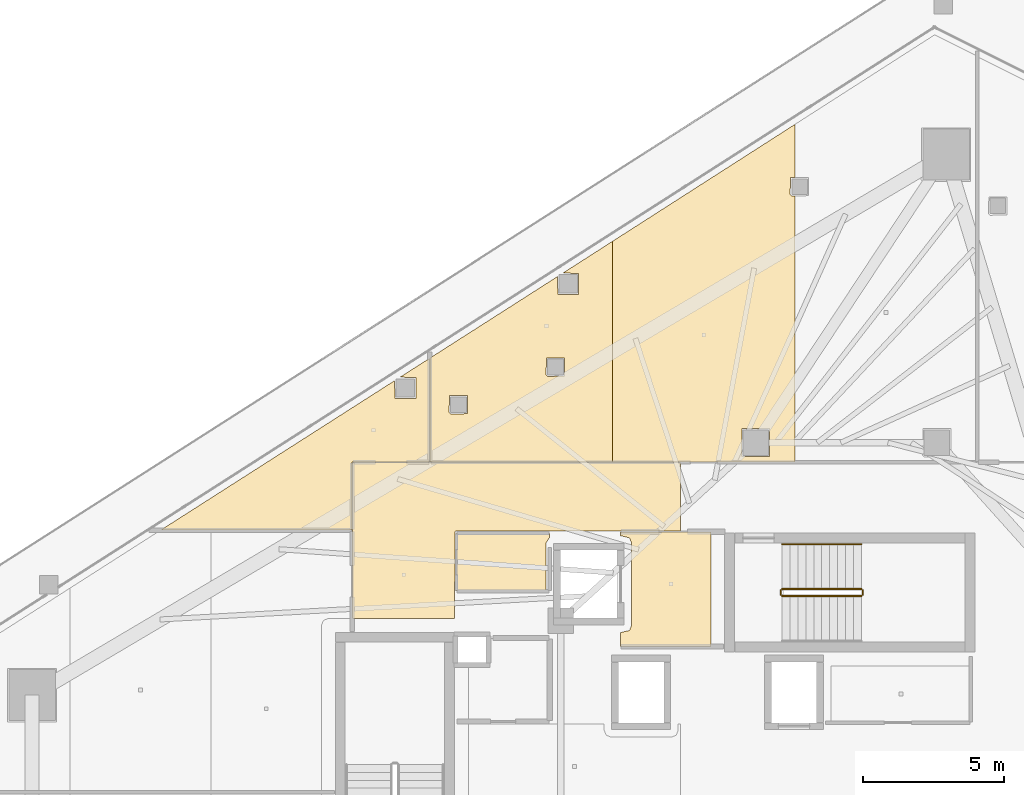
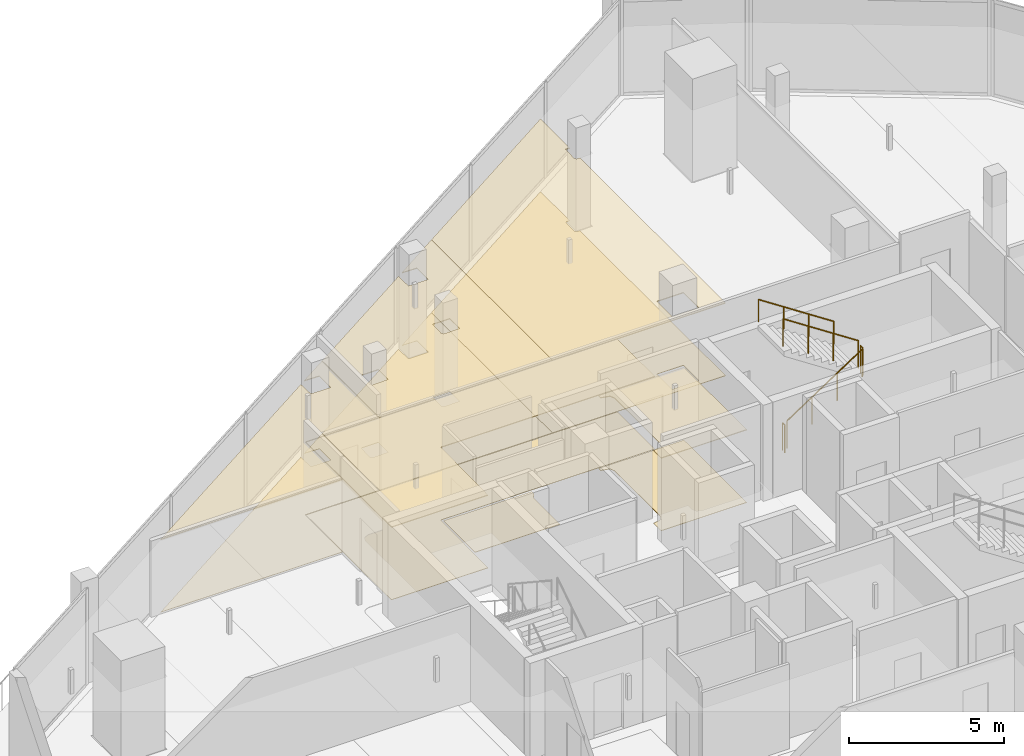
# One storey, part 32 of 33: 11 coverings, 5 railings.
"""IFC4 building model written with IfcOpenShell, lengths in metres."""

from ifc_helpers import new_model, si_unit, direction, frame, origin, origin_2d, place, context, subcontext, project, spatial, polyline, circle, outline, extrude, material, layer, layer_set, type_object, element, save


model = new_model("IFC4")

# Units and contexts
model_context = context("Model", 3, precision=1e-05, world=origin(), true_north=direction((0.0, 1.0)))
body_context = subcontext(model_context, "Body", "Model", "MODEL_VIEW")
ifc_project = project(units=[si_unit("LENGTHUNIT", "METRE"), si_unit("AREAUNIT", "SQUARE_METRE"), si_unit("VOLUMEUNIT", "CUBIC_METRE"), si_unit("PLANEANGLEUNIT", "RADIAN"), si_unit("MASSUNIT", "GRAM", prefix="KILO")], contexts=[model_context])

# Site, building, storey
site_placement = place(None, origin())
site = spatial("IfcSite", under=ifc_project, at=site_placement, CompositionType="ELEMENT")
building_placement = place(site_placement, origin())
building = spatial("IfcBuilding", under=site, at=building_placement, Name="Qorvath Tower", CompositionType="ELEMENT")
storey_placement = place(building_placement, frame((0.0, 0.0, 221.25)))
storey = spatial("IfcBuildingStorey", under=building, at=storey_placement, Name="L51", CompositionType="ELEMENT", Elevation=221.25)

# Coverings
ifc_material_1 = material(Name="Acoustic mineral fibre ceiling tile", Category="gypsum")
ifc_layer_1 = layer(ifc_material_1, 0.030029296875)
ifc_layer_set_1 = layer_set([ifc_layer_1], Name="COV-CEIL")
covering_type_1 = type_object("IfcCoveringType", Name="COV-CEIL", PredefinedType="CEILING", material=ifc_layer_set_1)
covering_1_placement = place(storey_placement, frame((0.0, 0.0, 2.85009765625)))
element("IfcCovering", 1, at=covering_1_placement, inside=storey, type_object=covering_type_1, Name="L51 Suspended Acoustic Ceiling 001", PredefinedType="CEILING", context=body_context, shape_type="SweptSolid", body=[
    extrude(outline(polyline([(-25.18994140625, 4.2548828125), (-25.18994140625, 8.294921875), (-28.375, 8.294921875), (-28.375, 8.159912109375), (-28.063232421875, 8.086669921875), (-27.989990234375, 7.909912109375), (-27.989990234375, 4.989990234375), (-28.063232421875, 4.813232421875), (-28.375, 4.739990234375), (-28.375, 4.2548828125), (-25.18994140625, 4.2548828125)])), origin(), (0.0, 0.0, 1.0), 0.030029296875),
])
covering_2_placement = place(storey_placement, frame((0.0, 0.0, 2.85009765625)))
element("IfcCovering", 2, at=covering_2_placement, inside=storey, type_object=covering_type_1, Name="L51 Suspended Acoustic Ceiling 010", PredefinedType="CEILING", context=body_context, shape_type="SweptSolid", body=[
    extrude(outline(polyline([(-26.2587890625, 8.324951171875), (-26.2587890625, 10.7451171875), (-37.844970703125, 10.7451171875), (-37.844970703125, 5.239990234375), (-34.2509765625, 5.239990234375), (-34.219970703125, 8.324951171875), (-26.2587890625, 8.324951171875)])), origin(), (0.0, 0.0, 1.0), 0.030029296875),
])
covering_3_placement = place(storey_placement, frame((0.0, 0.0, 2.85009765625)))
element("IfcCovering", 3, at=covering_3_placement, inside=storey, type_object=covering_type_1, Name="L51 Suspended Acoustic Ceiling 012", PredefinedType="CEILING", context=body_context, shape_type="SweptSolid", body=[
    extrude(outline(polyline([(-35.122314453125, 14.43359375), (-36.167236328125, 13.765869140625), (-35.61328125, 13.748291015625), (-35.61328125, 13.013427734375), (-36.34814453125, 13.013427734375), (-36.36572265625, 13.638916015625), (-44.63330078125, 8.35498046875), (-37.863037109375, 8.35498046875), (-37.861572265625, 10.761474609375), (-35.122314453125, 10.762939453125), (-35.122314453125, 14.43359375)])), origin(), (0.0, 0.0, 1.0), 0.030029296875),
])
covering_4_placement = place(storey_placement, frame((0.0, 0.0, 2.85009765625)))
element("IfcCovering", 4, at=covering_4_placement, inside=storey, type_object=covering_type_1, Name="L51 Suspended Acoustic Ceiling 013", PredefinedType="CEILING", context=body_context, shape_type="SweptSolid", body=[
    extrude(outline(polyline([(-28.660400390625, 10.762939453125), (-28.660400390625, 18.56689453125), (-30.41162109375, 17.444580078125), (-29.857421875, 17.427001953125), (-29.857421875, 16.692138671875), (-30.59228515625, 16.692138671875), (-30.60986328125, 17.317626953125), (-35.1044921875, 14.445068359375), (-35.1044921875, 10.762939453125), (-28.660400390625, 10.762939453125)]), holes=[polyline([(-31.01220703125, 13.849365234375), (-30.99462890625, 14.441650390625), (-30.35986328125, 14.441650390625), (-30.35986328125, 13.806884765625), (-30.9521484375, 13.789306640625), (-31.01220703125, 13.849365234375)]), polyline([(-34.439208984375, 12.517578125), (-34.421630859375, 13.10986328125), (-33.786865234375, 13.10986328125), (-33.786865234375, 12.47509765625), (-34.379150390625, 12.45751953125), (-34.439208984375, 12.517578125)])]), origin(), (0.0, 0.0, 1.0), 0.030029296875),
])
covering_5_placement = place(storey_placement, frame((0.0, 0.0, 2.85009765625)))
element("IfcCovering", 5, at=covering_5_placement, inside=storey, type_object=covering_type_1, Name="L51 Suspended Acoustic Ceiling 014", PredefinedType="CEILING", context=body_context, shape_type="SweptSolid", body=[
    extrude(outline(polyline([(-22.21630859375, 10.762939453125), (-22.21630859375, 20.163330078125), (-22.328125, 20.159912109375), (-22.38818359375, 20.219970703125), (-22.37060546875, 20.812255859375), (-22.21630859375, 20.812255859375), (-22.21630859375, 22.697021484375), (-28.660400390625, 18.56689453125), (-28.660400390625, 10.762939453125), (-22.21630859375, 10.762939453125)]), holes=[polyline([(-24.092529296875, 10.95751953125), (-24.092529296875, 11.9423828125), (-23.107666015625, 11.9423828125), (-23.107666015625, 10.95751953125), (-24.092529296875, 10.95751953125)])]), origin(), (0.0, 0.0, 1.0), 0.030029296875),
])
ifc_material_2 = material(Name="Low-VOC modular carpet tile", Category="textile")
ifc_layer_2 = layer(ifc_material_2, 0.014892578125)
ifc_layer_set_2 = layer_set([ifc_layer_2], Name="COV-FLOOR-CPT")
covering_type_2 = type_object("IfcCoveringType", Name="COV-FLOOR-CPT", PredefinedType="FLOORING", material=ifc_layer_set_2)
covering_6_placement = place(storey_placement, origin())
element("IfcCovering", 6, at=covering_6_placement, inside=storey, type_object=covering_type_2, Name="L51 Floor Finish 012", PredefinedType="FLOORING", context=body_context, shape_type="SweptSolid", body=[
    extrude(outline(polyline([(-35.122314453125, 14.43359375), (-36.167236328125, 13.765869140625), (-35.61328125, 13.748291015625), (-35.61328125, 13.013427734375), (-36.34814453125, 13.013427734375), (-36.36572265625, 13.638916015625), (-44.63330078125, 8.35498046875), (-37.863037109375, 8.35498046875), (-37.861572265625, 10.761474609375), (-35.122314453125, 10.762939453125), (-35.122314453125, 14.43359375)])), origin(), (0.0, 0.0, 1.0), 0.014892578125),
])
covering_7_placement = place(storey_placement, origin())
element("IfcCovering", 7, at=covering_7_placement, inside=storey, type_object=covering_type_2, Name="L51 Floor Finish 013", PredefinedType="FLOORING", context=body_context, shape_type="SweptSolid", body=[
    extrude(outline(polyline([(-28.660400390625, 10.762939453125), (-28.660400390625, 18.56689453125), (-30.41162109375, 17.444580078125), (-29.857421875, 17.427001953125), (-29.857421875, 16.692138671875), (-30.59228515625, 16.692138671875), (-30.60986328125, 17.317626953125), (-35.1044921875, 14.445068359375), (-35.1044921875, 10.762939453125), (-28.660400390625, 10.762939453125)]), holes=[polyline([(-31.01220703125, 13.849365234375), (-30.99462890625, 14.441650390625), (-30.35986328125, 14.441650390625), (-30.35986328125, 13.806884765625), (-30.9521484375, 13.789306640625), (-31.01220703125, 13.849365234375)]), polyline([(-34.439208984375, 12.517578125), (-34.421630859375, 13.10986328125), (-33.786865234375, 13.10986328125), (-33.786865234375, 12.47509765625), (-34.379150390625, 12.45751953125), (-34.439208984375, 12.517578125)])]), origin(), (0.0, 0.0, 1.0), 0.014892578125),
])
covering_8_placement = place(storey_placement, origin())
element("IfcCovering", 8, at=covering_8_placement, inside=storey, type_object=covering_type_2, Name="L51 Floor Finish 014", PredefinedType="FLOORING", context=body_context, shape_type="SweptSolid", body=[
    extrude(outline(polyline([(-22.21630859375, 10.762939453125), (-22.21630859375, 20.163330078125), (-22.328125, 20.159912109375), (-22.38818359375, 20.219970703125), (-22.37060546875, 20.812255859375), (-22.21630859375, 20.812255859375), (-22.21630859375, 22.697021484375), (-28.660400390625, 18.56689453125), (-28.660400390625, 10.762939453125), (-22.21630859375, 10.762939453125)]), holes=[polyline([(-24.092529296875, 10.95751953125), (-24.092529296875, 11.9423828125), (-23.107666015625, 11.9423828125), (-23.107666015625, 10.95751953125), (-24.092529296875, 10.95751953125)])]), origin(), (0.0, 0.0, 1.0), 0.014892578125),
])
ifc_material_3 = material(Name="Polished epoxy terrazzo flooring", Category="concrete")
ifc_layer_3 = layer(ifc_material_3, 0.02001953125)
ifc_layer_set_3 = layer_set([ifc_layer_3], Name="COV-FLOOR-TRZ")
covering_type_3 = type_object("IfcCoveringType", Name="COV-FLOOR-TRZ", PredefinedType="FLOORING", material=ifc_layer_set_3)
covering_9_placement = place(storey_placement, origin())
element("IfcCovering", 9, at=covering_9_placement, inside=storey, type_object=covering_type_3, Name="L51 Floor Finish 001", PredefinedType="FLOORING", context=body_context, shape_type="SweptSolid", body=[
    extrude(outline(polyline([(-25.18994140625, 4.2548828125), (-25.18994140625, 8.294921875), (-28.375, 8.294921875), (-28.375, 8.159912109375), (-28.063232421875, 8.086669921875), (-27.989990234375, 7.909912109375), (-27.989990234375, 4.989990234375), (-28.063232421875, 4.813232421875), (-28.375, 4.739990234375), (-28.375, 4.2548828125), (-25.18994140625, 4.2548828125)])), origin(), (0.0, 0.0, 1.0), 0.014892578125),
])
covering_10_placement = place(storey_placement, origin())
element("IfcCovering", 10, at=covering_10_placement, inside=storey, type_object=covering_type_3, Name="L51 Floor Finish 005", PredefinedType="FLOORING", context=body_context, shape_type="SweptSolid", body=[
    extrude(outline(polyline([(-31.010009765625, 6.205078125), (-31.010009765625, 7.909912109375), (-30.885009765625, 8.108154296875), (-30.885009765625, 8.2451171875), (-34.175048828125, 8.2451171875), (-34.175048828125, 6.205078125), (-31.010009765625, 6.205078125)])), origin(), (0.0, 0.0, 1.0), 0.014892578125),
])
covering_11_placement = place(storey_placement, origin())
element("IfcCovering", 11, at=covering_11_placement, inside=storey, type_object=covering_type_3, Name="L51 Floor Finish 010", PredefinedType="FLOORING", context=body_context, shape_type="SweptSolid", body=[
    extrude(outline(polyline([(-26.2587890625, 8.324951171875), (-26.2587890625, 10.7451171875), (-37.844970703125, 10.7451171875), (-37.844970703125, 5.239990234375), (-34.2509765625, 5.239990234375), (-34.219970703125, 8.324951171875), (-26.2587890625, 8.324951171875)])), origin(), (0.0, 0.0, 1.0), 0.014892578125),
])

# Railings
ifc_material_4 = material(Name="Painted galvanised steel", Category="steel")
railing_type_1 = type_object("IfcRailingType", Name="RL-STR-GRD", PredefinedType="GUARDRAIL", material=ifc_material_4)
railing_1_placement = place(storey_placement, frame((-22.669921875, 6.030029296875, 0.18408203125)))
element("IfcRailing", 12, at=railing_1_placement, inside=storey, type_object=railing_type_1, Name="L51 TS1 stair guard 1", PredefinedType="GUARDRAIL", context=body_context, shape_type="SweptSolid", body=[
    extrude(circle(Radius=0.02392578125, at=origin_2d()), frame((0.0, 0.0, 1.076171875), z_axis=(0.835575518608, 0.0, 0.549375602573), x_axis=(0.0, 1.0, 0.0)), (0.0, 0.0, 1.0), 3.350830078125),
    extrude(circle(Radius=0.02099609375, at=origin_2d()), origin(), (0.0, 0.0, 1.0), 1.052001953125),
    extrude(circle(Radius=0.02099609375, at=origin_2d()), frame((0.933349609375, 0.0, 0.613525390625)), (0.0, 0.0, 1.0), 1.052001953125),
    extrude(circle(Radius=0.02099609375, at=origin_2d()), frame((1.866455078125, 0.0, 1.227294921875)), (0.0, 0.0, 1.0), 1.052001953125),
    extrude(circle(Radius=0.02099609375, at=origin_2d()), frame((2.7998046875, 0.0, 1.8408203125)), (0.0, 0.0, 1.0), 1.052001953125),
])
railing_2_placement = place(storey_placement, frame((-19.820068359375, 6.080078125, 2.02490234375)))
element("IfcRailing", 13, at=railing_2_placement, inside=storey, type_object=railing_type_1, Name="L51 TS1 stair guard 2", PredefinedType="GUARDRAIL", context=body_context, shape_type="SweptSolid", body=[
    extrude(circle(Radius=0.02392578125, at=origin_2d()), frame((0.0, 0.0, 1.076171875), z_axis=(0.0, 1.0, 0.0), x_axis=(-1.0, 0.0, 0.0)), (0.0, 0.0, 1.0), 0.14990234375),
    extrude(circle(Radius=0.02099609375, at=origin_2d()), origin(), (0.0, 0.0, 1.0), 1.052001953125),
    extrude(circle(Radius=0.02099609375, at=origin_2d()), frame((0.0, 0.14990234375, 0.0)), (0.0, 0.0, 1.0), 1.052001953125),
])
railing_3_placement = place(storey_placement, frame((-19.8701171875, 6.280029296875, 2.208984375)))
element("IfcRailing", 14, at=railing_3_placement, inside=storey, type_object=railing_type_1, Name="L51 TS1 stair guard 3", PredefinedType="GUARDRAIL", context=body_context, shape_type="SweptSolid", body=[
    extrude(circle(Radius=0.02392578125, at=origin_2d()), frame((0.0, 0.0, 1.076171875), z_axis=(-0.835542071712, 0.0, 0.549426470421), x_axis=(0.0, -1.0, 0.0)), (0.0, 0.0, 1.0), 3.350830078125),
    extrude(circle(Radius=0.02099609375, at=origin_2d()), origin(), (0.0, 0.0, 1.0), 1.052001953125),
    extrude(circle(Radius=0.02099609375, at=origin_2d()), frame((-0.933349609375, 0.0, 0.61376953125)), (0.0, 0.0, 1.0), 1.052001953125),
    extrude(circle(Radius=0.02099609375, at=origin_2d()), frame((-1.866455078125, 0.0, 1.227294921875)), (0.0, 0.0, 1.0), 1.052001953125),
    extrude(circle(Radius=0.02099609375, at=origin_2d()), frame((-2.7998046875, 0.0, 1.841064453125)), (0.0, 0.0, 1.0), 1.052001953125),
])
railing_4_placement = place(storey_placement, frame((-22.719970703125, 6.080078125, 0.0)))
element("IfcRailing", 15, at=railing_4_placement, inside=storey, type_object=railing_type_1, Name="L51 TS1 stair guard 4", PredefinedType="GUARDRAIL", context=body_context, shape_type="SweptSolid", body=[
    extrude(circle(Radius=0.02392578125, at=origin_2d()), frame((0.0, 0.0, 1.076171875), z_axis=(0.0, 1.0, 0.0), x_axis=(-1.0, 0.0, 0.0)), (0.0, 0.0, 1.0), 0.14990234375),
    extrude(circle(Radius=0.02099609375, at=origin_2d()), origin(), (0.0, 0.0, 1.0), 1.052001953125),
    extrude(circle(Radius=0.02099609375, at=origin_2d()), frame((0.0, 0.14990234375, 0.0)), (0.0, 0.0, 1.0), 1.052001953125),
])
ifc_material_5 = material(Name="Brushed stainless steel AISI 304", Category="steel")
railing_type_2 = type_object("IfcRailingType", Name="RL-STR-HND", PredefinedType="HANDRAIL", material=ifc_material_5)
railing_5_placement = place(storey_placement, frame((-19.8701171875, 7.860107421875, 2.208984375)))
element("IfcRailing", 16, at=railing_5_placement, inside=storey, type_object=railing_type_2, Name="L51 TS1 stair handrail 2", PredefinedType="HANDRAIL", context=body_context, shape_type="SweptSolid", body=[
    extrude(circle(Radius=0.02392578125, at=origin_2d()), frame((0.0, 0.0, 0.8759765625), z_axis=(-0.835542071712, 0.0, 0.549426470421), x_axis=(0.0, -1.0, 0.0)), (0.0, 0.0, 1.0), 3.350830078125),
    extrude(circle(Radius=0.02099609375, at=origin_2d()), origin(), (0.0, 0.0, 1.0), 0.851806640625),
    extrude(circle(Radius=0.02099609375, at=origin_2d()), frame((-0.933349609375, 0.0, 0.61376953125)), (0.0, 0.0, 1.0), 0.851806640625),
    extrude(circle(Radius=0.02099609375, at=origin_2d()), frame((-1.866455078125, 0.0, 1.227294921875)), (0.0, 0.0, 1.0), 0.851806640625),
    extrude(circle(Radius=0.02099609375, at=origin_2d()), frame((-2.7998046875, 0.0, 1.841064453125)), (0.0, 0.0, 1.0), 0.851806640625),
])

save(model, "model.ifc")
